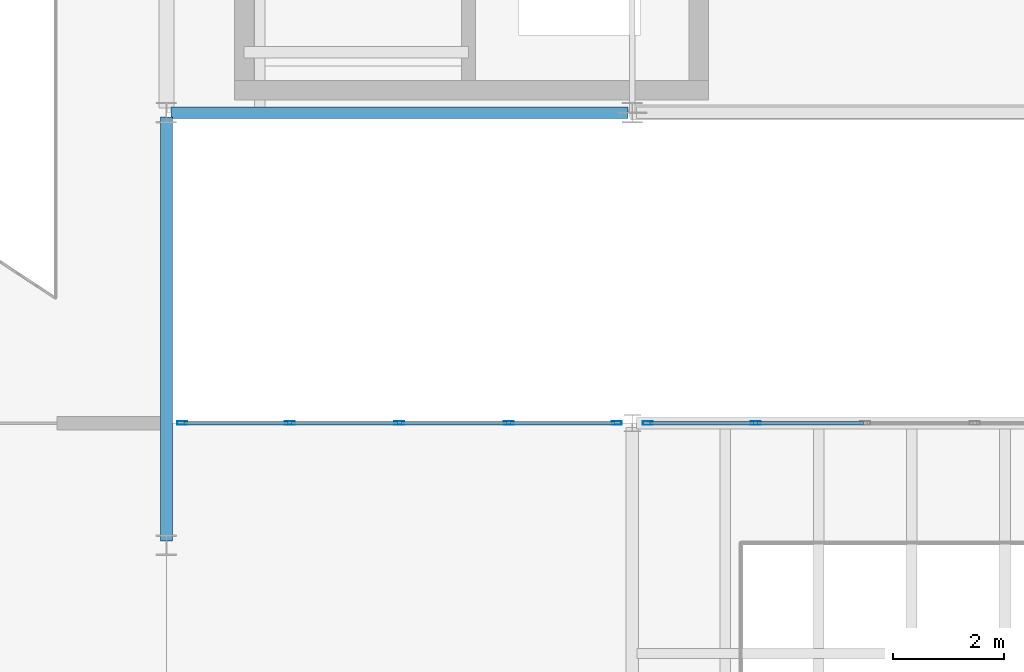
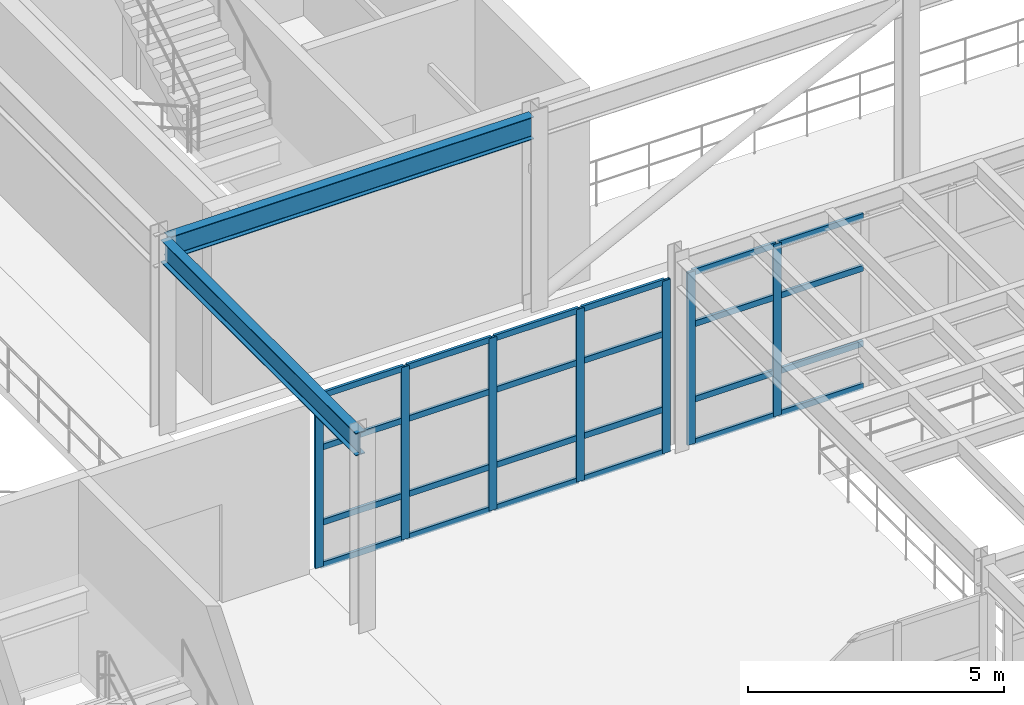
# One storey, part 29 of 105: 31 members, 2 beams, 2 elements without a shape of their own.
"""IFC4 building model written with IfcOpenShell, lengths in metres."""

from ifc_helpers import new_model, si_unit, direction, frame, origin, origin_2d, place, context, subcontext, project, spatial, hollow_rectangle, i_section, extrude, material, layer, layer_set, material_profile, profile_set, type_object, element, aggregate, save


model = new_model("IFC4")

# Units and contexts
model_context = context("Model", 3, precision=1e-05, world=origin(), true_north=direction((0.0, 1.0)))
body_context = subcontext(model_context, "Body", "Model", "MODEL_VIEW")
ifc_project = project(units=[si_unit("LENGTHUNIT", "METRE"), si_unit("AREAUNIT", "SQUARE_METRE"), si_unit("VOLUMEUNIT", "CUBIC_METRE"), si_unit("PLANEANGLEUNIT", "RADIAN"), si_unit("MASSUNIT", "GRAM", prefix="KILO")], contexts=[model_context])

# Site, building, storey
site_placement = place(None, origin())
site = spatial("IfcSite", under=ifc_project, at=site_placement, CompositionType="ELEMENT")
building_placement = place(site_placement, origin())
building = spatial("IfcBuilding", under=site, at=building_placement, Name="Selat Folded Stagehouse", CompositionType="ELEMENT")
storey_placement = place(building_placement, frame((0.0, 0.0, 10.199951171875)))
storey = spatial("IfcBuildingStorey", under=building, at=storey_placement, Name="L02", CompositionType="ELEMENT", Elevation=10.199951171875)

# Beams
ifc_material_1 = material(Name="Steel S355", Category="steel")
ifc_material_profile_1 = material_profile(ifc_material_1, i_section(OverallWidth=0.210693359375, OverallDepth=0.53955078125, WebThickness=0.01171875, FlangeThickness=0.018798828125, FilletRadius=0.0126953125, at=origin_2d()), Name="UKB 533x210x109")
ifc_profile_set_1 = profile_set([ifc_material_profile_1], Name="Steel S355")
beam_type_1 = type_object("IfcBeamType", Name="BM-GIRD-533x210x109", PredefinedType="BEAM", material=ifc_profile_set_1)
beam_1_placement = place(storey_placement, frame((33.60009765625, 15.679931640625, 4.330322265625), z_axis=(0.0, 1.0, 0.0), x_axis=(-1.0, 0.0, 0.0)))
element("IfcBeam", 1, at=beam_1_placement, inside=storey, type_object=beam_type_1, Name="L02 primary y-girder 1042", PredefinedType="BEAM", context=body_context, shape_type="SweptSolid", body=[
    extrude(i_section(OverallWidth=0.210693359375, OverallDepth=0.53955078125, WebThickness=0.01171875, FlangeThickness=0.018798828125, FilletRadius=0.0126953125, at=origin_2d()), origin(), (0.0, 0.0, 1.0), 7.64013671875),
])
ifc_material_profile_2 = material_profile(ifc_material_1, i_section(OverallWidth=0.209228515625, OverallDepth=0.533203125, WebThickness=0.010009765625, FlangeThickness=0.015625, FilletRadius=0.0126953125, at=origin_2d()), Name="UKB 533x210x92")
ifc_profile_set_2 = profile_set([ifc_material_profile_2], Name="Steel S355")
beam_type_2 = type_object("IfcBeamType", Name="BM-GIRD-533x210x92", PredefinedType="BEAM", material=ifc_profile_set_2)
beam_2_placement = place(storey_placement, frame((33.679931640625, 23.39990234375, 4.33349609375), z_axis=(1.0, 0.0, 0.0), x_axis=(0.0, 1.0, 0.0)))
element("IfcBeam", 2, at=beam_2_placement, inside=storey, type_object=beam_type_2, Name="L02 primary x-girder 1010", PredefinedType="BEAM", context=body_context, shape_type="SweptSolid", body=[
    extrude(i_section(OverallWidth=0.209228515625, OverallDepth=0.533203125, WebThickness=0.010009765625, FlangeThickness=0.015625, FilletRadius=0.0126953125, at=origin_2d()), origin(), (0.0, 0.0, 1.0), 8.239990234375),
])

# Curtain wall, members
ifc_material_2 = material(Name="Aluminium 6063-T6", Category="aluminium")
ifc_layer = layer(ifc_material_2, 0.195068359375)
ifc_layer_set = layer_set([ifc_layer], Name="Aluminium 6063-T6")
curtain_wall_type = type_object("IfcCurtainWallType", Name="CW-FYR-COURT", PredefinedType="NOTDEFINED", material=ifc_layer_set)
curtain_wall_1_placement = place(storey_placement, origin())
curtain_wall_1 = element("IfcCurtainWall", 3, at=curtain_wall_1_placement, inside=storey, type_object=curtain_wall_type, Name="L02 curtain wall CW-FYR-L02-07", PredefinedType="NOTDEFINED")
ifc_material_profile_3 = material_profile(ifc_material_2, hollow_rectangle(XDim=0.06494140625, YDim=0.179931640625, WallThickness=0.00390625, at=origin_2d()), Name="ALU 180x65x4.0")
ifc_profile_set_3 = profile_set([ifc_material_profile_3], Name="Aluminium 6063-T6")
member_type_1 = type_object("IfcMemberType", Name="CWM-MUL-180x65", PredefinedType="MULLION", material=ifc_profile_set_3)
member_1_placement = place(storey_placement, frame((33.882568359375, 17.800048828125, 0.0), z_axis=(0.0, 0.0, 1.0), x_axis=(0.0, 1.0, 0.0)))
member_1 = element("IfcMember", 4, at=member_1_placement, type_object=member_type_1, Name="CW-05 mullion 1", PredefinedType="MULLION", context=body_context, shape_type="SweptSolid", body=[
    extrude(hollow_rectangle(XDim=0.06494140625, YDim=0.179931640625, WallThickness=0.00390625, at=origin_2d()), origin(), (0.0, 0.0, 1.0), 4.1201171875),
])
member_2_placement = place(storey_placement, frame((35.824951171875, 17.800048828125, 0.0), z_axis=(0.0, 0.0, 1.0), x_axis=(0.0, 1.0, 0.0)))
member_2 = element("IfcMember", 5, at=member_2_placement, type_object=member_type_1, Name="CW-05 mullion 2", PredefinedType="MULLION", context=body_context, shape_type="SweptSolid", body=[
    extrude(hollow_rectangle(XDim=0.06494140625, YDim=0.179931640625, WallThickness=0.00390625, at=origin_2d()), origin(), (0.0, 0.0, 1.0), 4.1201171875),
])
member_3_placement = place(storey_placement, frame((37.800048828125, 17.800048828125, 0.0), z_axis=(0.0, 0.0, 1.0), x_axis=(0.0, 1.0, 0.0)))
member_3 = element("IfcMember", 6, at=member_3_placement, type_object=member_type_1, Name="CW-05 mullion 3", PredefinedType="MULLION", context=body_context, shape_type="SweptSolid", body=[
    extrude(hollow_rectangle(XDim=0.06494140625, YDim=0.179931640625, WallThickness=0.00390625, at=origin_2d()), origin(), (0.0, 0.0, 1.0), 4.1201171875),
])
member_4_placement = place(storey_placement, frame((39.77490234375, 17.800048828125, 0.0), z_axis=(0.0, 0.0, 1.0), x_axis=(0.0, 1.0, 0.0)))
member_4 = element("IfcMember", 7, at=member_4_placement, type_object=member_type_1, Name="CW-05 mullion 4", PredefinedType="MULLION", context=body_context, shape_type="SweptSolid", body=[
    extrude(hollow_rectangle(XDim=0.06494140625, YDim=0.179931640625, WallThickness=0.00390625, at=origin_2d()), origin(), (0.0, 0.0, 1.0), 4.1201171875),
])
member_5_placement = place(storey_placement, frame((41.717529296875, 17.800048828125, 0.0), z_axis=(0.0, 0.0, 1.0), x_axis=(0.0, 1.0, 0.0)))
member_5 = element("IfcMember", 8, at=member_5_placement, type_object=member_type_1, Name="CW-05 mullion 5", PredefinedType="MULLION", context=body_context, shape_type="SweptSolid", body=[
    extrude(hollow_rectangle(XDim=0.06494140625, YDim=0.179931640625, WallThickness=0.00390625, at=origin_2d()), origin(), (0.0, 0.0, 1.0), 4.1201171875),
])

curtain_wall_2_placement = place(storey_placement, origin())
curtain_wall_2 = element("IfcCurtainWall", 9, at=curtain_wall_2_placement, inside=storey, type_object=curtain_wall_type, Name="L02 curtain wall CW-FYR-L02-08", PredefinedType="NOTDEFINED")
member_6_placement = place(storey_placement, frame((42.282470703125, 17.800048828125, 0.0), z_axis=(0.0, 0.0, 1.0), x_axis=(0.0, 1.0, 0.0)))
member_6 = element("IfcMember", 10, at=member_6_placement, type_object=member_type_1, Name="CW-05 mullion 1", PredefinedType="MULLION", context=body_context, shape_type="SweptSolid", body=[
    extrude(hollow_rectangle(XDim=0.06494140625, YDim=0.179931640625, WallThickness=0.00390625, at=origin_2d()), origin(), (0.0, 0.0, 1.0), 4.1201171875),
])
member_7_placement = place(storey_placement, frame((44.22509765625, 17.800048828125, 0.0), z_axis=(0.0, 0.0, 1.0), x_axis=(0.0, 1.0, 0.0)))
member_7 = element("IfcMember", 11, at=member_7_placement, type_object=member_type_1, Name="CW-05 mullion 2", PredefinedType="MULLION", context=body_context, shape_type="SweptSolid", body=[
    extrude(hollow_rectangle(XDim=0.06494140625, YDim=0.179931640625, WallThickness=0.00390625, at=origin_2d()), origin(), (0.0, 0.0, 1.0), 4.1201171875),
])

# Member
ifc_material_profile_4 = material_profile(ifc_material_2, hollow_rectangle(XDim=0.06494140625, YDim=0.139892578125, WallThickness=0.00390625, at=origin_2d()), Name="ALU 140x65x4.0")
ifc_profile_set_4 = profile_set([ifc_material_profile_4], Name="Aluminium 6063-T6")
member_type_2 = type_object("IfcMemberType", Name="CWM-TRN-140x65", PredefinedType="USERDEFINED", material=ifc_profile_set_4)
member_8_placement = place(storey_placement, frame((33.9150390625, 17.800048828125, 0.032470703125), z_axis=(1.0, 0.0, 0.0), x_axis=(0.0, 1.0, 0.0)))
member_8 = element("IfcMember", 12, at=member_8_placement, type_object=member_type_2, Name="CW-05 transom 1.1", ObjectType="TRANSOM", PredefinedType="USERDEFINED", context=body_context, shape_type="SweptSolid", body=[
    extrude(hollow_rectangle(XDim=0.06494140625, YDim=0.139892578125, WallThickness=0.00390625, at=origin_2d()), origin(), (0.0, 0.0, 1.0), 1.87744140625),
])

member_9_placement = place(storey_placement, frame((33.9150390625, 17.800048828125, 1.050048828125), z_axis=(1.0, 0.0, 0.0), x_axis=(0.0, 1.0, 0.0)))
member_9 = element("IfcMember", 13, at=member_9_placement, type_object=member_type_2, Name="CW-05 transom 1.2", ObjectType="TRANSOM", PredefinedType="USERDEFINED", context=body_context, shape_type="SweptSolid", body=[
    extrude(hollow_rectangle(XDim=0.06494140625, YDim=0.139892578125, WallThickness=0.00390625, at=origin_2d()), origin(), (0.0, 0.0, 1.0), 1.87744140625),
])

member_10_placement = place(storey_placement, frame((33.9150390625, 17.800048828125, 2.85009765625), z_axis=(1.0, 0.0, 0.0), x_axis=(0.0, 1.0, 0.0)))
member_10 = element("IfcMember", 14, at=member_10_placement, type_object=member_type_2, Name="CW-05 transom 1.3", ObjectType="TRANSOM", PredefinedType="USERDEFINED", context=body_context, shape_type="SweptSolid", body=[
    extrude(hollow_rectangle(XDim=0.06494140625, YDim=0.139892578125, WallThickness=0.00390625, at=origin_2d()), origin(), (0.0, 0.0, 1.0), 1.87744140625),
])

member_11_placement = place(storey_placement, frame((33.9150390625, 17.800048828125, 4.087646484375), z_axis=(1.0, 0.0, 0.0), x_axis=(0.0, 1.0, 0.0)))
member_11 = element("IfcMember", 15, at=member_11_placement, type_object=member_type_2, Name="CW-05 transom 1.4", ObjectType="TRANSOM", PredefinedType="USERDEFINED", context=body_context, shape_type="SweptSolid", body=[
    extrude(hollow_rectangle(XDim=0.06494140625, YDim=0.139892578125, WallThickness=0.00390625, at=origin_2d()), origin(), (0.0, 0.0, 1.0), 1.87744140625),
])

member_12_placement = place(storey_placement, frame((35.857421875, 17.800048828125, 0.032470703125), z_axis=(1.0, 0.0, 0.0), x_axis=(0.0, 1.0, 0.0)))
member_12 = element("IfcMember", 16, at=member_12_placement, type_object=member_type_2, Name="CW-05 transom 2.1", ObjectType="TRANSOM", PredefinedType="USERDEFINED", context=body_context, shape_type="SweptSolid", body=[
    extrude(hollow_rectangle(XDim=0.06494140625, YDim=0.139892578125, WallThickness=0.00390625, at=origin_2d()), origin(), (0.0, 0.0, 1.0), 1.91015625),
])

member_13_placement = place(storey_placement, frame((35.857421875, 17.800048828125, 1.050048828125), z_axis=(1.0, 0.0, 0.0), x_axis=(0.0, 1.0, 0.0)))
member_13 = element("IfcMember", 17, at=member_13_placement, type_object=member_type_2, Name="CW-05 transom 2.2", ObjectType="TRANSOM", PredefinedType="USERDEFINED", context=body_context, shape_type="SweptSolid", body=[
    extrude(hollow_rectangle(XDim=0.06494140625, YDim=0.139892578125, WallThickness=0.00390625, at=origin_2d()), origin(), (0.0, 0.0, 1.0), 1.91015625),
])

member_14_placement = place(storey_placement, frame((35.857421875, 17.800048828125, 2.85009765625), z_axis=(1.0, 0.0, 0.0), x_axis=(0.0, 1.0, 0.0)))
member_14 = element("IfcMember", 18, at=member_14_placement, type_object=member_type_2, Name="CW-05 transom 2.3", ObjectType="TRANSOM", PredefinedType="USERDEFINED", context=body_context, shape_type="SweptSolid", body=[
    extrude(hollow_rectangle(XDim=0.06494140625, YDim=0.139892578125, WallThickness=0.00390625, at=origin_2d()), origin(), (0.0, 0.0, 1.0), 1.91015625),
])

member_15_placement = place(storey_placement, frame((35.857421875, 17.800048828125, 4.087646484375), z_axis=(1.0, 0.0, 0.0), x_axis=(0.0, 1.0, 0.0)))
member_15 = element("IfcMember", 19, at=member_15_placement, type_object=member_type_2, Name="CW-05 transom 2.4", ObjectType="TRANSOM", PredefinedType="USERDEFINED", context=body_context, shape_type="SweptSolid", body=[
    extrude(hollow_rectangle(XDim=0.06494140625, YDim=0.139892578125, WallThickness=0.00390625, at=origin_2d()), origin(), (0.0, 0.0, 1.0), 1.91015625),
])

member_16_placement = place(storey_placement, frame((37.83251953125, 17.800048828125, 0.032470703125), z_axis=(1.0, 0.0, 0.0), x_axis=(0.0, 1.0, 0.0)))
member_16 = element("IfcMember", 20, at=member_16_placement, type_object=member_type_2, Name="CW-05 transom 3.1", ObjectType="TRANSOM", PredefinedType="USERDEFINED", context=body_context, shape_type="SweptSolid", body=[
    extrude(hollow_rectangle(XDim=0.06494140625, YDim=0.139892578125, WallThickness=0.00390625, at=origin_2d()), origin(), (0.0, 0.0, 1.0), 1.909912109375),
])

member_17_placement = place(storey_placement, frame((37.83251953125, 17.800048828125, 1.050048828125), z_axis=(1.0, 0.0, 0.0), x_axis=(0.0, 1.0, 0.0)))
member_17 = element("IfcMember", 21, at=member_17_placement, type_object=member_type_2, Name="CW-05 transom 3.2", ObjectType="TRANSOM", PredefinedType="USERDEFINED", context=body_context, shape_type="SweptSolid", body=[
    extrude(hollow_rectangle(XDim=0.06494140625, YDim=0.139892578125, WallThickness=0.00390625, at=origin_2d()), origin(), (0.0, 0.0, 1.0), 1.909912109375),
])

member_18_placement = place(storey_placement, frame((37.83251953125, 17.800048828125, 2.85009765625), z_axis=(1.0, 0.0, 0.0), x_axis=(0.0, 1.0, 0.0)))
member_18 = element("IfcMember", 22, at=member_18_placement, type_object=member_type_2, Name="CW-05 transom 3.3", ObjectType="TRANSOM", PredefinedType="USERDEFINED", context=body_context, shape_type="SweptSolid", body=[
    extrude(hollow_rectangle(XDim=0.06494140625, YDim=0.139892578125, WallThickness=0.00390625, at=origin_2d()), origin(), (0.0, 0.0, 1.0), 1.909912109375),
])

member_19_placement = place(storey_placement, frame((37.83251953125, 17.800048828125, 4.087646484375), z_axis=(1.0, 0.0, 0.0), x_axis=(0.0, 1.0, 0.0)))
member_19 = element("IfcMember", 23, at=member_19_placement, type_object=member_type_2, Name="CW-05 transom 3.4", ObjectType="TRANSOM", PredefinedType="USERDEFINED", context=body_context, shape_type="SweptSolid", body=[
    extrude(hollow_rectangle(XDim=0.06494140625, YDim=0.139892578125, WallThickness=0.00390625, at=origin_2d()), origin(), (0.0, 0.0, 1.0), 1.909912109375),
])

member_20_placement = place(storey_placement, frame((39.8076171875, 17.800048828125, 0.032470703125), z_axis=(1.0, 0.0, 0.0), x_axis=(0.0, 1.0, 0.0)))
member_20 = element("IfcMember", 24, at=member_20_placement, type_object=member_type_2, Name="CW-05 transom 4.1", ObjectType="TRANSOM", PredefinedType="USERDEFINED", context=body_context, shape_type="SweptSolid", body=[
    extrude(hollow_rectangle(XDim=0.06494140625, YDim=0.139892578125, WallThickness=0.00390625, at=origin_2d()), origin(), (0.0, 0.0, 1.0), 1.87744140625),
])

member_21_placement = place(storey_placement, frame((39.8076171875, 17.800048828125, 1.050048828125), z_axis=(1.0, 0.0, 0.0), x_axis=(0.0, 1.0, 0.0)))
member_21 = element("IfcMember", 25, at=member_21_placement, type_object=member_type_2, Name="CW-05 transom 4.2", ObjectType="TRANSOM", PredefinedType="USERDEFINED", context=body_context, shape_type="SweptSolid", body=[
    extrude(hollow_rectangle(XDim=0.06494140625, YDim=0.139892578125, WallThickness=0.00390625, at=origin_2d()), origin(), (0.0, 0.0, 1.0), 1.87744140625),
])

member_22_placement = place(storey_placement, frame((39.8076171875, 17.800048828125, 2.85009765625), z_axis=(1.0, 0.0, 0.0), x_axis=(0.0, 1.0, 0.0)))
member_22 = element("IfcMember", 26, at=member_22_placement, type_object=member_type_2, Name="CW-05 transom 4.3", ObjectType="TRANSOM", PredefinedType="USERDEFINED", context=body_context, shape_type="SweptSolid", body=[
    extrude(hollow_rectangle(XDim=0.06494140625, YDim=0.139892578125, WallThickness=0.00390625, at=origin_2d()), origin(), (0.0, 0.0, 1.0), 1.87744140625),
])

member_23_placement = place(storey_placement, frame((39.8076171875, 17.800048828125, 4.087646484375), z_axis=(1.0, 0.0, 0.0), x_axis=(0.0, 1.0, 0.0)))
member_23 = element("IfcMember", 27, at=member_23_placement, type_object=member_type_2, Name="CW-05 transom 4.4", ObjectType="TRANSOM", PredefinedType="USERDEFINED", context=body_context, shape_type="SweptSolid", body=[
    extrude(hollow_rectangle(XDim=0.06494140625, YDim=0.139892578125, WallThickness=0.00390625, at=origin_2d()), origin(), (0.0, 0.0, 1.0), 1.87744140625),
])

aggregate(curtain_wall_1, [member_1, member_2, member_3, member_4, member_5, member_8, member_9, member_10, member_11, member_12, member_13, member_14, member_15, member_16, member_17, member_18, member_19, member_20, member_21, member_22, member_23])

member_24_placement = place(storey_placement, frame((42.31494140625, 17.800048828125, 0.032470703125), z_axis=(1.0, 0.0, 0.0), x_axis=(0.0, 1.0, 0.0)))
member_24 = element("IfcMember", 28, at=member_24_placement, type_object=member_type_2, Name="CW-05 transom 1.1", ObjectType="TRANSOM", PredefinedType="USERDEFINED", context=body_context, shape_type="SweptSolid", body=[
    extrude(hollow_rectangle(XDim=0.06494140625, YDim=0.139892578125, WallThickness=0.00390625, at=origin_2d()), origin(), (0.0, 0.0, 1.0), 1.87744140625),
])

member_25_placement = place(storey_placement, frame((42.31494140625, 17.800048828125, 1.050048828125), z_axis=(1.0, 0.0, 0.0), x_axis=(0.0, 1.0, 0.0)))
member_25 = element("IfcMember", 29, at=member_25_placement, type_object=member_type_2, Name="CW-05 transom 1.2", ObjectType="TRANSOM", PredefinedType="USERDEFINED", context=body_context, shape_type="SweptSolid", body=[
    extrude(hollow_rectangle(XDim=0.06494140625, YDim=0.139892578125, WallThickness=0.00390625, at=origin_2d()), origin(), (0.0, 0.0, 1.0), 1.87744140625),
])

member_26_placement = place(storey_placement, frame((42.31494140625, 17.800048828125, 2.85009765625), z_axis=(1.0, 0.0, 0.0), x_axis=(0.0, 1.0, 0.0)))
member_26 = element("IfcMember", 30, at=member_26_placement, type_object=member_type_2, Name="CW-05 transom 1.3", ObjectType="TRANSOM", PredefinedType="USERDEFINED", context=body_context, shape_type="SweptSolid", body=[
    extrude(hollow_rectangle(XDim=0.06494140625, YDim=0.139892578125, WallThickness=0.00390625, at=origin_2d()), origin(), (0.0, 0.0, 1.0), 1.87744140625),
])

member_27_placement = place(storey_placement, frame((42.31494140625, 17.800048828125, 4.087646484375), z_axis=(1.0, 0.0, 0.0), x_axis=(0.0, 1.0, 0.0)))
member_27 = element("IfcMember", 31, at=member_27_placement, type_object=member_type_2, Name="CW-05 transom 1.4", ObjectType="TRANSOM", PredefinedType="USERDEFINED", context=body_context, shape_type="SweptSolid", body=[
    extrude(hollow_rectangle(XDim=0.06494140625, YDim=0.139892578125, WallThickness=0.00390625, at=origin_2d()), origin(), (0.0, 0.0, 1.0), 1.87744140625),
])

member_28_placement = place(storey_placement, frame((44.257568359375, 17.800048828125, 0.032470703125), z_axis=(1.0, 0.0, 0.0), x_axis=(0.0, 1.0, 0.0)))
member_28 = element("IfcMember", 32, at=member_28_placement, type_object=member_type_2, Name="CW-05 transom 2.1", ObjectType="TRANSOM", PredefinedType="USERDEFINED", context=body_context, shape_type="SweptSolid", body=[
    extrude(hollow_rectangle(XDim=0.06494140625, YDim=0.139892578125, WallThickness=0.00390625, at=origin_2d()), origin(), (0.0, 0.0, 1.0), 1.909912109375),
])

member_29_placement = place(storey_placement, frame((44.257568359375, 17.800048828125, 1.050048828125), z_axis=(1.0, 0.0, 0.0), x_axis=(0.0, 1.0, 0.0)))
member_29 = element("IfcMember", 33, at=member_29_placement, type_object=member_type_2, Name="CW-05 transom 2.2", ObjectType="TRANSOM", PredefinedType="USERDEFINED", context=body_context, shape_type="SweptSolid", body=[
    extrude(hollow_rectangle(XDim=0.06494140625, YDim=0.139892578125, WallThickness=0.00390625, at=origin_2d()), origin(), (0.0, 0.0, 1.0), 1.909912109375),
])

member_30_placement = place(storey_placement, frame((44.257568359375, 17.800048828125, 2.85009765625), z_axis=(1.0, 0.0, 0.0), x_axis=(0.0, 1.0, 0.0)))
member_30 = element("IfcMember", 34, at=member_30_placement, type_object=member_type_2, Name="CW-05 transom 2.3", ObjectType="TRANSOM", PredefinedType="USERDEFINED", context=body_context, shape_type="SweptSolid", body=[
    extrude(hollow_rectangle(XDim=0.06494140625, YDim=0.139892578125, WallThickness=0.00390625, at=origin_2d()), origin(), (0.0, 0.0, 1.0), 1.909912109375),
])

member_31_placement = place(storey_placement, frame((44.257568359375, 17.800048828125, 4.087646484375), z_axis=(1.0, 0.0, 0.0), x_axis=(0.0, 1.0, 0.0)))
member_31 = element("IfcMember", 35, at=member_31_placement, type_object=member_type_2, Name="CW-05 transom 2.4", ObjectType="TRANSOM", PredefinedType="USERDEFINED", context=body_context, shape_type="SweptSolid", body=[
    extrude(hollow_rectangle(XDim=0.06494140625, YDim=0.139892578125, WallThickness=0.00390625, at=origin_2d()), origin(), (0.0, 0.0, 1.0), 1.909912109375),
])

aggregate(curtain_wall_2, [member_6, member_7, member_24, member_25, member_26, member_27, member_28, member_29, member_30, member_31])

save(model, "model.ifc")
